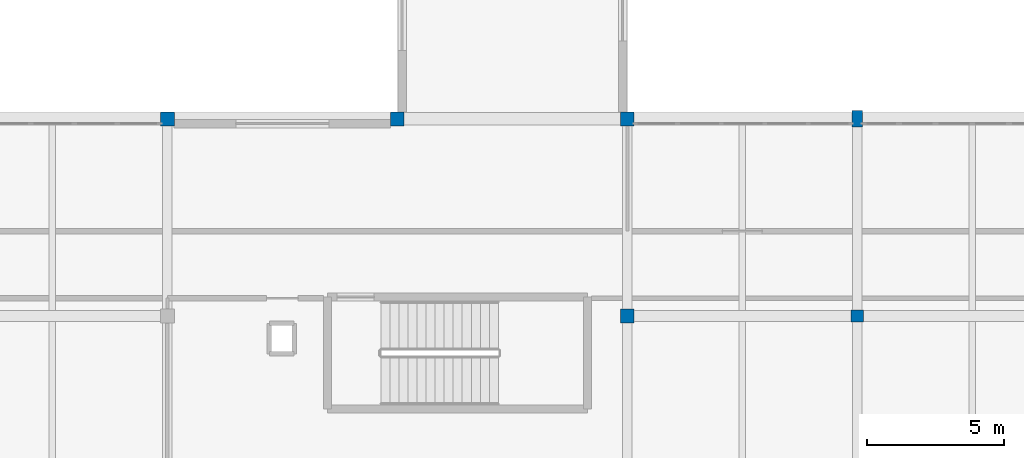
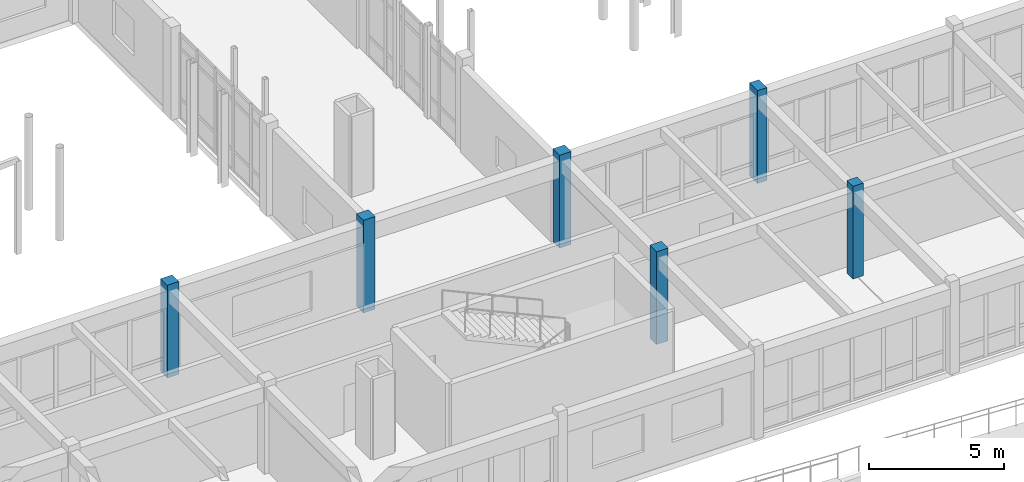
# One storey, part 13 of 89: 6 columns.
"""IFC4 building model written with IfcOpenShell, lengths in metres."""

from ifc_helpers import new_model, si_unit, direction, frame, origin, origin_2d, place, context, subcontext, project, spatial, rectangle, extrude, material, material_profile, profile_set, type_object, element, save


model = new_model("IFC4")

# Units and contexts
model_context = context("Model", 3, precision=1e-05, world=origin(), true_north=direction((0.0, 1.0)))
body_context = subcontext(model_context, "Body", "Model", "MODEL_VIEW")
ifc_project = project(units=[si_unit("LENGTHUNIT", "METRE"), si_unit("AREAUNIT", "SQUARE_METRE"), si_unit("VOLUMEUNIT", "CUBIC_METRE"), si_unit("PLANEANGLEUNIT", "RADIAN"), si_unit("MASSUNIT", "GRAM", prefix="KILO")], contexts=[model_context])

# Site, building, storey
site_placement = place(None, origin())
site = spatial("IfcSite", under=ifc_project, at=site_placement, CompositionType="ELEMENT")
building_placement = place(site_placement, origin())
building = spatial("IfcBuilding", under=site, at=building_placement, Name="Malvenik Polytechnic", CompositionType="ELEMENT")
storey_placement = place(building_placement, frame((0.0, 0.0, 13.5)))
storey = spatial("IfcBuildingStorey", under=building, at=storey_placement, Name="L03", CompositionType="ELEMENT", Elevation=13.5)

# Columns
ifc_material = material(Name="Concrete C35/45", Category="concrete")
ifc_material_profile_1 = material_profile(ifc_material, rectangle(XDim=0.5, YDim=0.5, at=origin_2d()), Name="RC COL 500x500")
ifc_profile_set_1 = profile_set([ifc_material_profile_1], Name="Concrete C35/45")
column_type_1 = type_object("IfcColumnType", Name="STR-COL-C-08", PredefinedType="COLUMN", material=ifc_profile_set_1)
for number, where, z_axis, x_axis, name in (
    (1, (67.199951171875, 93.60009765625, 0.0), (0.0, 0.0, 1.0), (1.0, 0.0, 0.0), "Column C-08 L03 (67.2,93.6)"),
    (2, (75.60009765625, 93.60009765625, 0.0), (0.0, 0.0, 1.0), (1.0, 0.0, 0.0), "Column C-08 L03 (75.6,93.6)"),
    (3, (84.0, 86.39990234375, 0.0), (0.0, 0.0, 1.0), (1.0, 0.0, 0.0), "Column C-08 L03 (84.0,86.4)"),
    (4, (84.0, 93.60009765625, 0.0), (0.0, 0.0, 1.0), (1.0, 0.0, 0.0), "Column C-08 L03 (84.0,93.6)"),
):
    element("IfcColumn", number, at=place(storey_placement, frame(where, z_axis=z_axis, x_axis=x_axis)), inside=storey, type_object=column_type_1, Name=name, PredefinedType="COLUMN", context=body_context, shape_type="SweptSolid", body=[
        extrude(rectangle(XDim=0.5, YDim=0.5, at=origin_2d()), origin(), (0.0, 0.0, 1.0), 4.199951171875),
    ])
ifc_material_profile_2 = material_profile(ifc_material, rectangle(XDim=0.449951171875, YDim=0.449951171875, at=origin_2d()), Name="RC COL 450x450")
ifc_profile_set_2 = profile_set([ifc_material_profile_2], Name="Concrete C35/45")
column_type_2 = type_object("IfcColumnType", Name="STR-COL-C-09", PredefinedType="COLUMN", material=ifc_profile_set_2)
column_1_placement = place(storey_placement, frame((92.39990234375, 86.39990234375, 0.0), z_axis=(0.0, 0.0, 1.0), x_axis=(1.0, 0.0, 0.0)))
element("IfcColumn", 5, at=column_1_placement, inside=storey, type_object=column_type_2, Name="Column C-09 L03 (92.4,86.4)", PredefinedType="COLUMN", context=body_context, shape_type="SweptSolid", body=[
    extrude(rectangle(XDim=0.449951171875, YDim=0.449951171875, at=origin_2d()), origin(), (0.0, 0.0, 1.0), 4.199951171875),
])
ifc_material_profile_3 = material_profile(ifc_material, rectangle(XDim=0.39990234375, YDim=0.60009765625, at=origin_2d()), Name="RC COL 600x400")
ifc_profile_set_3 = profile_set([ifc_material_profile_3], Name="Concrete C35/45")
column_type_3 = type_object("IfcColumnType", Name="STR-COL-C-15", PredefinedType="COLUMN", material=ifc_profile_set_3)
column_2_placement = place(storey_placement, frame((92.39990234375, 93.60009765625, 0.0), z_axis=(0.0, 0.0, 1.0), x_axis=(1.0, 0.0, 0.0)))
element("IfcColumn", 6, at=column_2_placement, inside=storey, type_object=column_type_3, Name="Column C-15 L03 (92.4,93.6)", PredefinedType="COLUMN", context=body_context, shape_type="SweptSolid", body=[
    extrude(rectangle(XDim=0.39990234375, YDim=0.60009765625, at=origin_2d()), origin(), (0.0, 0.0, 1.0), 4.199951171875),
])

save(model, "model.ifc")
